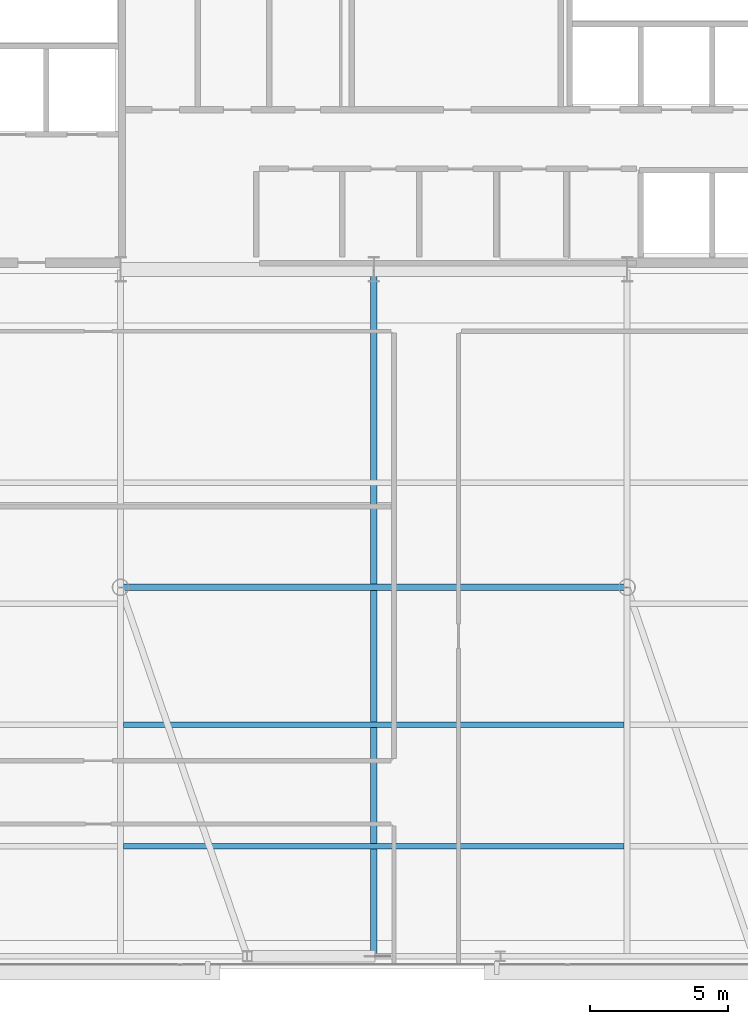
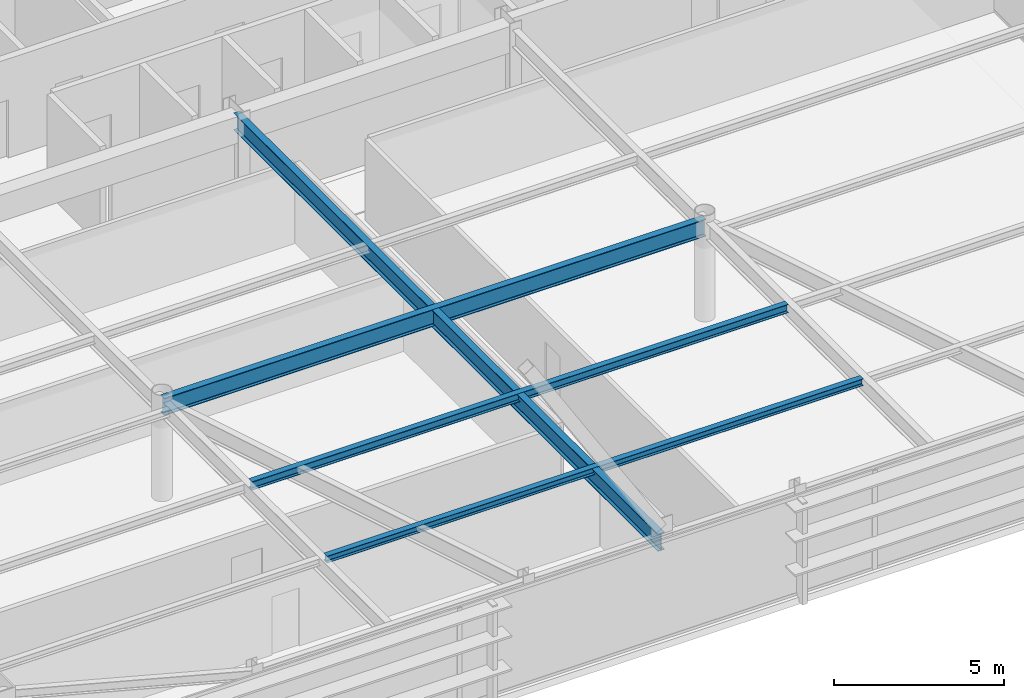
# One storey, part 9 of 27: 4 beams.
"""IFC4 building model written with IfcOpenShell, lengths in metres."""

import ifcopenshell
import ifcopenshell.guid

model = None  # the IFC model being written
_history = None  # IfcOwnerHistory: only IFC2X3 demands one
_inside = {}  # id of a spatial element -> (the spatial element, [elements in it])
_under = {}  # id of a project, library or spatial element -> (it, [spatial elements below it])
_declared = {}  # id of a project -> (the project, [libraries it declares])
_typed = {}  # id of a type object -> (the type object, [elements of that type])
_made_of = {}  # id of a material, layer set ... -> (it, [elements and type objects made of it])


def new_model(schema):
    """Start an empty IFC model of exactly this schema.

    Asked for "IFC4X3", IfcOpenShell would pick the latest addendum, in which some entities
    have other attributes; the version numbers below select the first issue.
    IFC2X3 requires an IfcOwnerHistory on every rooted entity: one is made here for all.
    """
    global model, _history
    if schema == "IFC4X3":
        model = ifcopenshell.file(schema_version=(4, 3, 0, 0))
    else:
        model = ifcopenshell.file(schema=schema)
    _inside.clear()
    _under.clear()
    _declared.clear()
    _typed.clear()
    _made_of.clear()
    _history = None
    if model.schema == "IFC2X3":
        org = make("IfcOrganization", Name="unknown")
        user = make(
            "IfcPersonAndOrganization",
            ThePerson=make("IfcPerson", FamilyName="unknown"),
            TheOrganization=org,
        )
        app = make(
            "IfcApplication",
            ApplicationDeveloper=org,
            Version="unknown",
            ApplicationFullName="unknown",
            ApplicationIdentifier="unknown",
        )
        _history = make(
            "IfcOwnerHistory",
            OwningUser=user,
            OwningApplication=app,
            ChangeAction="ADDED",
            CreationDate=0,
        )
    return model


def make(cls, **values):
    """One entity of the class cls with the attributes given. An attribute that is None is left unset."""
    return model.create_entity(
        cls, **{name: value for name, value in values.items() if value is not None}
    )


def rooted(cls, **values):
    """An entity with a GlobalId (a new one), such as an element, a storey or a relation."""
    return make(cls, GlobalId=ifcopenshell.guid.new(), OwnerHistory=_history, **values)


def si_unit(unit_type, name, prefix=None):
    """IfcSIUnit, for example si_unit("LENGTHUNIT", "METRE", prefix="MILLI")."""
    return make("IfcSIUnit", UnitType=unit_type, Prefix=prefix, Name=name)


def assignment(units):
    """IfcUnitAssignment: the units of a project."""
    return None if units is None else make("IfcUnitAssignment", Units=units)


def point(xyz):
    """IfcCartesianPoint."""
    return None if xyz is None else make("IfcCartesianPoint", Coordinates=xyz)


def direction(xyz):
    """IfcDirection."""
    return None if xyz is None else make("IfcDirection", DirectionRatios=xyz)


def frame(location, z_axis=None, x_axis=None):
    """IfcAxis2Placement3D, a coordinate frame: its origin and axes. An axis left out is left unset."""
    return make(
        "IfcAxis2Placement3D",
        Location=point(location),
        Axis=direction(z_axis),
        RefDirection=direction(x_axis),
    )


def frame_2d(location, x_axis=None):
    """IfcAxis2Placement2D, a coordinate frame in the plane: its origin and x axis."""
    return make(
        "IfcAxis2Placement2D", Location=point(location), RefDirection=direction(x_axis)
    )


def origin():
    """The frame at (0, 0, 0) with its axes left unset."""
    return frame((0.0, 0.0, 0.0))


def origin_2d():
    """The frame at (0, 0) in the plane with its x axis left unset."""
    return frame_2d((0.0, 0.0))


def place(relative_to, where):
    """IfcLocalPlacement: puts the frame where relative to a parent placement (None: the world)."""
    return make(
        "IfcLocalPlacement", PlacementRelTo=relative_to, RelativePlacement=where
    )


def context(
    kind, dimensions, precision=None, world=None, true_north=None, identifier=None
):
    """IfcGeometricRepresentationContext, for example the 3D "Model" context."""
    return make(
        "IfcGeometricRepresentationContext",
        ContextIdentifier=identifier,
        ContextType=kind,
        CoordinateSpaceDimension=dimensions,
        Precision=precision,
        WorldCoordinateSystem=world,
        TrueNorth=true_north,
    )


def subcontext(parent, identifier, kind, view, scale=None):
    """IfcGeometricRepresentationSubContext, for example "Body" below "Model"."""
    return make(
        "IfcGeometricRepresentationSubContext",
        ContextIdentifier=identifier,
        ContextType=kind,
        ParentContext=parent,
        TargetScale=scale,
        TargetView=view,
    )


def project(units=None, contexts=None):
    """IfcProject with its units and contexts."""
    return rooted(
        "IfcProject",
        Name="project",
        RepresentationContexts=contexts,
        UnitsInContext=assignment(units),
    )


def spatial(cls, under=None, at=None, **own):
    """A site, building, storey or space (cls), placed at a placement, below another one or the project."""
    s = rooted(cls, ObjectPlacement=at, **own)
    if under is not None:
        _under.setdefault(under.id(), (under, []))[1].append(s)
    return s


def profile(cls, at=None, kind="AREA", **sizes):
    """A parametric profile (cls). Its sizes go by their IFC names, for example OverallWidth=200.0."""
    return make(cls, ProfileType=kind, Position=at, **sizes)


def i_section(**sizes):
    """IfcIShapeProfileDef."""
    return profile("IfcIShapeProfileDef", **sizes)


def extrude(swept, where, along, depth):
    """IfcExtrudedAreaSolid: the profile swept, set in the frame where, extruded along a direction by depth."""
    return make(
        "IfcExtrudedAreaSolid",
        SweptArea=swept,
        Position=where,
        ExtrudedDirection=direction(along),
        Depth=depth,
    )


def shape(context_of_items, identifier, shape_type, items):
    """IfcShapeRepresentation: the items that make up one representation, for example the "Body"."""
    return make(
        "IfcShapeRepresentation",
        ContextOfItems=context_of_items,
        RepresentationIdentifier=identifier,
        RepresentationType=shape_type,
        Items=items,
    )


def source(mapping_origin, context_of_items, identifier, shape_type, items):
    """IfcRepresentationMap: a shape defined once, which mapped items show again and again."""
    return make(
        "IfcRepresentationMap",
        MappingOrigin=mapping_origin,
        MappedRepresentation=shape(context_of_items, identifier, shape_type, items),
    )


def transform(
    local_origin,
    x_axis=None,
    y_axis=None,
    z_axis=None,
    scale=None,
    scale2=None,
    scale3=None,
    uniform=True,
):
    """IfcCartesianTransformationOperator3D, or its non-uniform kind. x_axis, y_axis, z_axis: its Axis1, 2, 3."""
    if uniform:
        return make(
            "IfcCartesianTransformationOperator3D",
            Axis1=direction(x_axis),
            Axis2=direction(y_axis),
            LocalOrigin=point(local_origin),
            Scale=scale,
            Axis3=direction(z_axis),
        )
    return make(
        "IfcCartesianTransformationOperator3DnonUniform",
        Axis1=direction(x_axis),
        Axis2=direction(y_axis),
        LocalOrigin=point(local_origin),
        Scale=scale,
        Axis3=direction(z_axis),
        Scale2=scale2,
        Scale3=scale3,
    )


def mapped(mapping_source, mapping_target):
    """IfcMappedItem: shows the shape of a source again, moved by a transform."""
    return make(
        "IfcMappedItem", MappingSource=mapping_source, MappingTarget=mapping_target
    )


def material(Name=None, Category=None):
    """IfcMaterial."""
    return make("IfcMaterial", Name=Name, Category=Category)


def material_profile(
    of_material, cross_section, Name=None, Category=None, Priority=None
):
    """IfcMaterialProfile: a cross section and its material."""
    return make(
        "IfcMaterialProfile",
        Name=Name,
        Material=of_material,
        Profile=cross_section,
        Priority=Priority,
        Category=Category,
    )


def profile_set(profiles, Name=None, composite=None):
    """IfcMaterialProfileSet."""
    return make(
        "IfcMaterialProfileSet",
        Name=Name,
        MaterialProfiles=profiles,
        CompositeProfile=composite,
    )


def made_of(thing, what):
    """Note that an element or type object is made of a material, layer set ...; save() writes the relation."""
    if what is not None:
        _made_of.setdefault(what.id(), (what, []))[1].append(thing)
    return thing


def type_object(cls, material=None, **own):
    """A type object (cls), such as IfcWallType, which elements share."""
    return made_of(rooted(cls, **own), material)


def type_shapes(of_type, sources):
    """Give a type object the sources (RepresentationMaps) that its elements show as mapped items."""
    of_type.RepresentationMaps = sources


def element(
    cls,
    number,
    at=None,
    inside=None,
    cuts=None,
    type_object=None,
    material=None,
    context=None,
    identifier="Body",
    shape_type=None,
    held_by="IfcProductDefinitionShape",
    body=None,
    shapes=None,
    **own,
):
    """One element of the class cls, such as IfcWall. Its Tag is "e" and its number.

    at: its placement. inside: the storey or other place that contains it. cuts: it is an
    opening in that element (IfcRelVoidsElement). A single representation is given by context,
    identifier, shape_type and body (its items); several are given by shapes. held_by: the class
    of the entity that holds the representations. save() writes the other relations.
    """
    e = rooted(cls, Tag="e%d" % number, ObjectPlacement=at, **own)
    if body is not None:
        shapes = [shape(context, identifier, shape_type, body)]
    if shapes is not None:
        e.Representation = make(held_by, Representations=shapes)
    if inside is not None:
        _inside.setdefault(inside.id(), (inside, []))[1].append(e)
    if cuts is not None:
        rooted(
            "IfcRelVoidsElement", RelatingBuildingElement=cuts, RelatedOpeningElement=e
        )
    if type_object is not None:
        _typed.setdefault(type_object.id(), (type_object, []))[1].append(e)
    return made_of(e, material)


def aggregate(whole, parts):
    """IfcRelAggregates: a whole, such as a stair, and the parts it consists of."""
    return rooted("IfcRelAggregates", RelatingObject=whole, RelatedObjects=parts)


def save(model, path):
    """Write the relations noted so far, then the file.

    IfcRelAggregates (storeys below a building ...), IfcRelContainedInSpatialStructure (elements
    in a storey), IfcRelDefinesByType, IfcRelAssociatesMaterial and IfcRelDeclares: one each for
    every whole, place, type object, material and project.
    """
    for whole, parts in _under.values():
        aggregate(whole, parts)
    for where, things in _inside.values():
        rooted(
            "IfcRelContainedInSpatialStructure",
            RelatedElements=things,
            RelatingStructure=where,
        )
    for kind, things in _typed.values():
        rooted("IfcRelDefinesByType", RelatedObjects=things, RelatingType=kind)
    for what, things in _made_of.values():
        rooted("IfcRelAssociatesMaterial", RelatedObjects=things, RelatingMaterial=what)
    for by, libraries in _declared.values():
        rooted("IfcRelDeclares", RelatingContext=by, RelatedDefinitions=libraries)
    model.write(path)


model = new_model("IFC4")

# Units and contexts
model_context = context("Model", 3, precision=1e-05, world=origin(), true_north=direction((0.0, 1.0)))
body_context = subcontext(model_context, "Body", "Model", "MODEL_VIEW")
ifc_project = project(units=[si_unit("LENGTHUNIT", "METRE"), si_unit("AREAUNIT", "SQUARE_METRE"), si_unit("VOLUMEUNIT", "CUBIC_METRE"), si_unit("PLANEANGLEUNIT", "RADIAN"), si_unit("MASSUNIT", "GRAM", prefix="KILO")], contexts=[model_context])

# Site, building, storey
site_placement = place(None, origin())
site = spatial("IfcSite", under=ifc_project, at=site_placement, CompositionType="ELEMENT")
building_placement = place(site_placement, origin())
building = spatial("IfcBuilding", under=site, at=building_placement, Name="Varnel Quay Broadcast Tower", CompositionType="ELEMENT")
storey_placement = place(building_placement, frame((0.0, 0.0, 243.199951171875)))
storey = spatial("IfcBuildingStorey", under=building, at=storey_placement, Name="L60", CompositionType="ELEMENT", Elevation=243.199951171875)

# Beams
ifc_material = material(Name="Structural Steel CSA G40.21 350W", Category="steel")
ifc_material_profile_1 = material_profile(ifc_material, i_section(OverallWidth=0.22998046875, OverallDepth=0.616943359375, WebThickness=0.01318359375, FlangeThickness=0.022216796875, FilletRadius=0.01611328125, at=origin_2d()), Name="W610X140")
ifc_profile_set_1 = profile_set([ifc_material_profile_1], Name="Structural Steel CSA G40.21 350W")
beam_type_1 = type_object("IfcBeamType", Name="Girder_W610X140", PredefinedType="BEAM", material=ifc_profile_set_1)
shared_shape_1 = source(origin(), body_context, "Body", "SweptSolid", [
    extrude(i_section(OverallWidth=0.22998046875, OverallDepth=0.616943359375, WebThickness=0.01318359375, FlangeThickness=0.022216796875, FilletRadius=0.01611328125, at=origin_2d()), origin(), (0.0, 0.0, 1.0), 18.35986328125),
])
beam_1_placement = place(storey_placement, frame((24.820068359375, 24.050048828125, 3.241455078125), z_axis=(1.0, 0.0, 0.0), x_axis=(0.0, 1.0, 0.0)))
element("IfcBeam", 1, at=beam_1_placement, inside=storey, type_object=beam_type_1, Name="L60 Interior Spine Girder", PredefinedType="BEAM", context=body_context, shape_type="MappedRepresentation", body=[
    mapped(shared_shape_1, transform((0.0, 0.0, 0.0), x_axis=(1.0, 0.0, 0.0), y_axis=(0.0, 1.0, 0.0), z_axis=(0.0, 0.0, 1.0), scale=1.0)),
])
shared_shape_2 = source(origin(), body_context, "Body", "SweptSolid", [
    extrude(i_section(OverallWidth=0.22998046875, OverallDepth=0.616943359375, WebThickness=0.01318359375, FlangeThickness=0.022216796875, FilletRadius=0.01611328125, at=origin_2d()), origin(), (0.0, 0.0, 1.0), 24.91015625),
])
type_shapes(beam_type_1, [shared_shape_1, shared_shape_2])
beam_2_placement = place(storey_placement, frame((34.0, 10.669921875, 3.241455078125), z_axis=(0.0, 1.0, 0.0), x_axis=(-1.0, 0.0, 0.0)))
element("IfcBeam", 2, at=beam_2_placement, inside=storey, type_object=beam_type_1, Name="L60 Central Bay Girder", PredefinedType="BEAM", context=body_context, shape_type="MappedRepresentation", body=[
    mapped(shared_shape_2, transform((0.0, 0.0, 0.0), x_axis=(1.0, 0.0, 0.0), y_axis=(0.0, 1.0, 0.0), z_axis=(0.0, 0.0, 1.0), scale=1.0)),
])
ifc_material_profile_2 = material_profile(ifc_material, i_section(OverallWidth=0.201904296875, OverallDepth=0.2470703125, WebThickness=0.00732421875, FlangeThickness=0.010986328125, FilletRadius=0.010986328125, at=origin_2d()), Name="W250X49")
ifc_profile_set_2 = profile_set([ifc_material_profile_2], Name="Structural Steel CSA G40.21 350W")
beam_type_2 = type_object("IfcBeamType", Name="Beam_W250X49", PredefinedType="JOIST", material=ifc_profile_set_2)
shared_shape_3 = source(origin(), body_context, "Body", "SweptSolid", [
    extrude(i_section(OverallWidth=0.201904296875, OverallDepth=0.2470703125, WebThickness=0.00732421875, FlangeThickness=0.010986328125, FilletRadius=0.010986328125, at=origin_2d()), origin(), (0.0, 0.0, 1.0), 18.18017578125),
])
type_shapes(beam_type_2, [shared_shape_3])
beam_3_placement = place(storey_placement, frame((24.909912109375, 14.64990234375, 3.426513671875), z_axis=(1.0, 0.0, 0.0), x_axis=(0.0, 1.0, 0.0)))
element("IfcBeam", 3, at=beam_3_placement, inside=storey, type_object=beam_type_2, Name="L60 Central Floor Joist 1", PredefinedType="JOIST", context=body_context, shape_type="MappedRepresentation", body=[
    mapped(shared_shape_3, transform((0.0, 0.0, 0.0), x_axis=(1.0, 0.0, 0.0), y_axis=(0.0, 1.0, 0.0), z_axis=(0.0, 0.0, 1.0), scale=1.0)),
])
ifc_material_profile_3 = material_profile(ifc_material, i_section(OverallWidth=0.202880859375, OverallDepth=0.302978515625, WebThickness=0.007568359375, FlangeThickness=0.01318359375, FilletRadius=0.011962890625, at=origin_2d()), Name="W310X60")
ifc_profile_set_3 = profile_set([ifc_material_profile_3], Name="Structural Steel CSA G40.21 350W")
beam_type_3 = type_object("IfcBeamType", Name="Beam_W310X60", PredefinedType="JOIST", material=ifc_profile_set_3)
shared_shape_4 = source(origin(), body_context, "Body", "SweptSolid", [
    extrude(i_section(OverallWidth=0.202880859375, OverallDepth=0.302978515625, WebThickness=0.007568359375, FlangeThickness=0.01318359375, FilletRadius=0.011962890625, at=origin_2d()), origin(), (0.0, 0.0, 1.0), 18.18017578125),
])
type_shapes(beam_type_3, [shared_shape_4])
beam_4_placement = place(storey_placement, frame((24.909912109375, 19.050048828125, 3.3984375), z_axis=(1.0, 0.0, 0.0), x_axis=(0.0, 1.0, 0.0)))
element("IfcBeam", 4, at=beam_4_placement, inside=storey, type_object=beam_type_3, Name="L60 Central Floor Joist 2", PredefinedType="JOIST", context=body_context, shape_type="MappedRepresentation", body=[
    mapped(shared_shape_4, transform((0.0, 0.0, 0.0), x_axis=(1.0, 0.0, 0.0), y_axis=(0.0, 1.0, 0.0), z_axis=(0.0, 0.0, 1.0), scale=1.0)),
])

save(model, "model.ifc")
